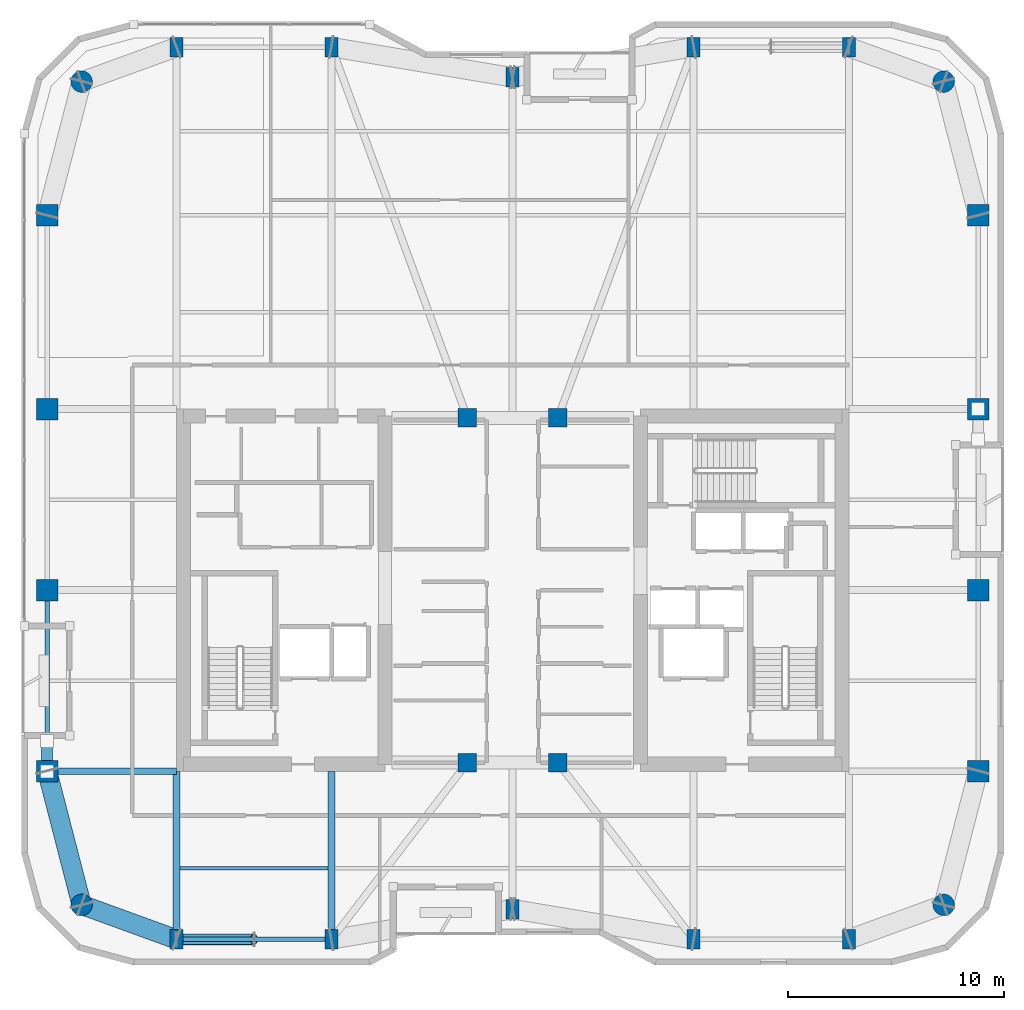
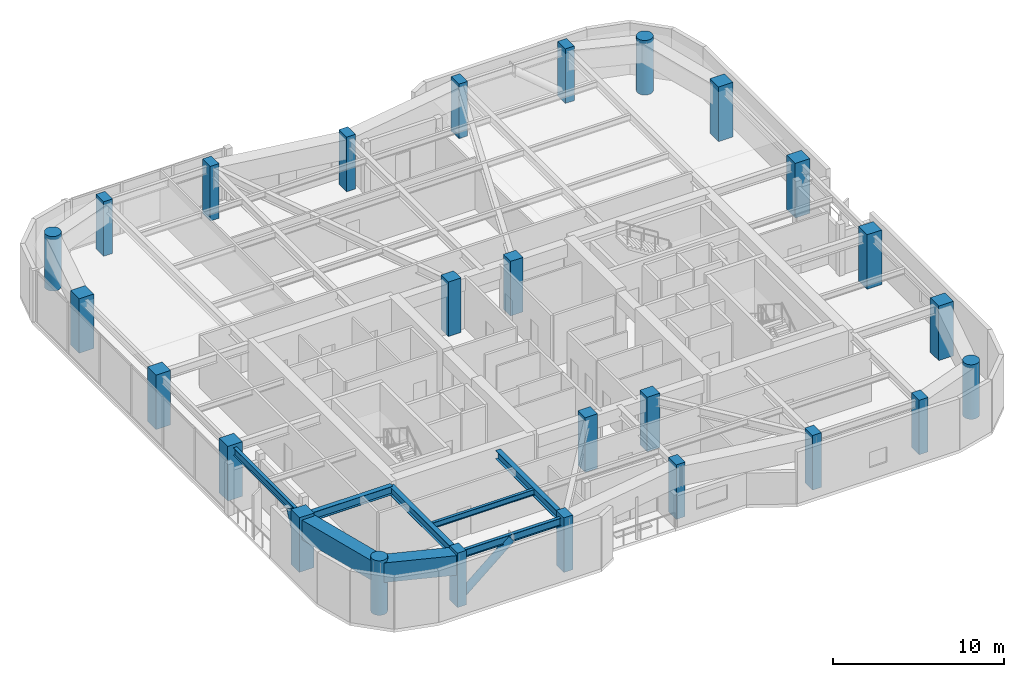
# One storey, part 1 of 21: 26 columns, 8 beams, 2 members.
"""IFC4 building model written with IfcOpenShell, lengths in metres."""

import ifcopenshell
import ifcopenshell.guid

model = None  # the IFC model being written
_history = None  # IfcOwnerHistory: only IFC2X3 demands one
_inside = {}  # id of a spatial element -> (the spatial element, [elements in it])
_under = {}  # id of a project, library or spatial element -> (it, [spatial elements below it])
_declared = {}  # id of a project -> (the project, [libraries it declares])
_typed = {}  # id of a type object -> (the type object, [elements of that type])
_made_of = {}  # id of a material, layer set ... -> (it, [elements and type objects made of it])


def new_model(schema):
    """Start an empty IFC model of exactly this schema.

    Asked for "IFC4X3", IfcOpenShell would pick the latest addendum, in which some entities
    have other attributes; the version numbers below select the first issue.
    IFC2X3 requires an IfcOwnerHistory on every rooted entity: one is made here for all.
    """
    global model, _history
    if schema == "IFC4X3":
        model = ifcopenshell.file(schema_version=(4, 3, 0, 0))
    else:
        model = ifcopenshell.file(schema=schema)
    _inside.clear()
    _under.clear()
    _declared.clear()
    _typed.clear()
    _made_of.clear()
    _history = None
    if model.schema == "IFC2X3":
        org = make("IfcOrganization", Name="unknown")
        user = make(
            "IfcPersonAndOrganization",
            ThePerson=make("IfcPerson", FamilyName="unknown"),
            TheOrganization=org,
        )
        app = make(
            "IfcApplication",
            ApplicationDeveloper=org,
            Version="unknown",
            ApplicationFullName="unknown",
            ApplicationIdentifier="unknown",
        )
        _history = make(
            "IfcOwnerHistory",
            OwningUser=user,
            OwningApplication=app,
            ChangeAction="ADDED",
            CreationDate=0,
        )
    return model


def make(cls, **values):
    """One entity of the class cls with the attributes given. An attribute that is None is left unset."""
    return model.create_entity(
        cls, **{name: value for name, value in values.items() if value is not None}
    )


def rooted(cls, **values):
    """An entity with a GlobalId (a new one), such as an element, a storey or a relation."""
    return make(cls, GlobalId=ifcopenshell.guid.new(), OwnerHistory=_history, **values)


def si_unit(unit_type, name, prefix=None):
    """IfcSIUnit, for example si_unit("LENGTHUNIT", "METRE", prefix="MILLI")."""
    return make("IfcSIUnit", UnitType=unit_type, Prefix=prefix, Name=name)


def assignment(units):
    """IfcUnitAssignment: the units of a project."""
    return None if units is None else make("IfcUnitAssignment", Units=units)


def point(xyz):
    """IfcCartesianPoint."""
    return None if xyz is None else make("IfcCartesianPoint", Coordinates=xyz)


def direction(xyz):
    """IfcDirection."""
    return None if xyz is None else make("IfcDirection", DirectionRatios=xyz)


def frame(location, z_axis=None, x_axis=None):
    """IfcAxis2Placement3D, a coordinate frame: its origin and axes. An axis left out is left unset."""
    return make(
        "IfcAxis2Placement3D",
        Location=point(location),
        Axis=direction(z_axis),
        RefDirection=direction(x_axis),
    )


def frame_2d(location, x_axis=None):
    """IfcAxis2Placement2D, a coordinate frame in the plane: its origin and x axis."""
    return make(
        "IfcAxis2Placement2D", Location=point(location), RefDirection=direction(x_axis)
    )


def origin():
    """The frame at (0, 0, 0) with its axes left unset."""
    return frame((0.0, 0.0, 0.0))


def origin_2d():
    """The frame at (0, 0) in the plane with its x axis left unset."""
    return frame_2d((0.0, 0.0))


def place(relative_to, where):
    """IfcLocalPlacement: puts the frame where relative to a parent placement (None: the world)."""
    return make(
        "IfcLocalPlacement", PlacementRelTo=relative_to, RelativePlacement=where
    )


def context(
    kind, dimensions, precision=None, world=None, true_north=None, identifier=None
):
    """IfcGeometricRepresentationContext, for example the 3D "Model" context."""
    return make(
        "IfcGeometricRepresentationContext",
        ContextIdentifier=identifier,
        ContextType=kind,
        CoordinateSpaceDimension=dimensions,
        Precision=precision,
        WorldCoordinateSystem=world,
        TrueNorth=true_north,
    )


def subcontext(parent, identifier, kind, view, scale=None):
    """IfcGeometricRepresentationSubContext, for example "Body" below "Model"."""
    return make(
        "IfcGeometricRepresentationSubContext",
        ContextIdentifier=identifier,
        ContextType=kind,
        ParentContext=parent,
        TargetScale=scale,
        TargetView=view,
    )


def project(units=None, contexts=None):
    """IfcProject with its units and contexts."""
    return rooted(
        "IfcProject",
        Name="project",
        RepresentationContexts=contexts,
        UnitsInContext=assignment(units),
    )


def spatial(cls, under=None, at=None, **own):
    """A site, building, storey or space (cls), placed at a placement, below another one or the project."""
    s = rooted(cls, ObjectPlacement=at, **own)
    if under is not None:
        _under.setdefault(under.id(), (under, []))[1].append(s)
    return s


def profile(cls, at=None, kind="AREA", **sizes):
    """A parametric profile (cls). Its sizes go by their IFC names, for example OverallWidth=200.0."""
    return make(cls, ProfileType=kind, Position=at, **sizes)


def rectangle(**sizes):
    """IfcRectangleProfileDef."""
    return profile("IfcRectangleProfileDef", **sizes)


def hollow_rectangle(**sizes):
    """IfcRectangleHollowProfileDef."""
    return profile("IfcRectangleHollowProfileDef", **sizes)


def circle(**sizes):
    """IfcCircleProfileDef."""
    return profile("IfcCircleProfileDef", **sizes)


def hollow_circle(**sizes):
    """IfcCircleHollowProfileDef."""
    return profile("IfcCircleHollowProfileDef", **sizes)


def i_section(**sizes):
    """IfcIShapeProfileDef."""
    return profile("IfcIShapeProfileDef", **sizes)


def extrude(swept, where, along, depth):
    """IfcExtrudedAreaSolid: the profile swept, set in the frame where, extruded along a direction by depth."""
    return make(
        "IfcExtrudedAreaSolid",
        SweptArea=swept,
        Position=where,
        ExtrudedDirection=direction(along),
        Depth=depth,
    )


def shape(context_of_items, identifier, shape_type, items):
    """IfcShapeRepresentation: the items that make up one representation, for example the "Body"."""
    return make(
        "IfcShapeRepresentation",
        ContextOfItems=context_of_items,
        RepresentationIdentifier=identifier,
        RepresentationType=shape_type,
        Items=items,
    )


def material(Name=None, Category=None):
    """IfcMaterial."""
    return make("IfcMaterial", Name=Name, Category=Category)


def material_profile(
    of_material, cross_section, Name=None, Category=None, Priority=None
):
    """IfcMaterialProfile: a cross section and its material."""
    return make(
        "IfcMaterialProfile",
        Name=Name,
        Material=of_material,
        Profile=cross_section,
        Priority=Priority,
        Category=Category,
    )


def profile_set(profiles, Name=None, composite=None):
    """IfcMaterialProfileSet."""
    return make(
        "IfcMaterialProfileSet",
        Name=Name,
        MaterialProfiles=profiles,
        CompositeProfile=composite,
    )


def made_of(thing, what):
    """Note that an element or type object is made of a material, layer set ...; save() writes the relation."""
    if what is not None:
        _made_of.setdefault(what.id(), (what, []))[1].append(thing)
    return thing


def type_object(cls, material=None, **own):
    """A type object (cls), such as IfcWallType, which elements share."""
    return made_of(rooted(cls, **own), material)


def element(
    cls,
    number,
    at=None,
    inside=None,
    cuts=None,
    type_object=None,
    material=None,
    context=None,
    identifier="Body",
    shape_type=None,
    held_by="IfcProductDefinitionShape",
    body=None,
    shapes=None,
    **own,
):
    """One element of the class cls, such as IfcWall. Its Tag is "e" and its number.

    at: its placement. inside: the storey or other place that contains it. cuts: it is an
    opening in that element (IfcRelVoidsElement). A single representation is given by context,
    identifier, shape_type and body (its items); several are given by shapes. held_by: the class
    of the entity that holds the representations. save() writes the other relations.
    """
    e = rooted(cls, Tag="e%d" % number, ObjectPlacement=at, **own)
    if body is not None:
        shapes = [shape(context, identifier, shape_type, body)]
    if shapes is not None:
        e.Representation = make(held_by, Representations=shapes)
    if inside is not None:
        _inside.setdefault(inside.id(), (inside, []))[1].append(e)
    if cuts is not None:
        rooted(
            "IfcRelVoidsElement", RelatingBuildingElement=cuts, RelatedOpeningElement=e
        )
    if type_object is not None:
        _typed.setdefault(type_object.id(), (type_object, []))[1].append(e)
    return made_of(e, material)


def aggregate(whole, parts):
    """IfcRelAggregates: a whole, such as a stair, and the parts it consists of."""
    return rooted("IfcRelAggregates", RelatingObject=whole, RelatedObjects=parts)


def save(model, path):
    """Write the relations noted so far, then the file.

    IfcRelAggregates (storeys below a building ...), IfcRelContainedInSpatialStructure (elements
    in a storey), IfcRelDefinesByType, IfcRelAssociatesMaterial and IfcRelDeclares: one each for
    every whole, place, type object, material and project.
    """
    for whole, parts in _under.values():
        aggregate(whole, parts)
    for where, things in _inside.values():
        rooted(
            "IfcRelContainedInSpatialStructure",
            RelatedElements=things,
            RelatingStructure=where,
        )
    for kind, things in _typed.values():
        rooted("IfcRelDefinesByType", RelatedObjects=things, RelatingType=kind)
    for what, things in _made_of.values():
        rooted("IfcRelAssociatesMaterial", RelatedObjects=things, RelatingMaterial=what)
    for by, libraries in _declared.values():
        rooted("IfcRelDeclares", RelatingContext=by, RelatedDefinitions=libraries)
    model.write(path)


model = new_model("IFC4")

# Units and contexts
model_context = context("Model", 3, precision=1e-05, world=origin(), true_north=direction((0.0, 1.0)))
body_context = subcontext(model_context, "Body", "Model", "MODEL_VIEW")
ifc_project = project(units=[si_unit("LENGTHUNIT", "METRE"), si_unit("AREAUNIT", "SQUARE_METRE"), si_unit("VOLUMEUNIT", "CUBIC_METRE"), si_unit("PLANEANGLEUNIT", "RADIAN"), si_unit("MASSUNIT", "GRAM", prefix="KILO")], contexts=[model_context])

# Site, building, storey
site_placement = place(None, origin())
site = spatial("IfcSite", under=ifc_project, at=site_placement, CompositionType="ELEMENT")
building_placement = place(site_placement, origin())
building = spatial("IfcBuilding", under=site, at=building_placement, Name="Kiyonajd Concourse Tower", CompositionType="ELEMENT")
storey_placement = place(building_placement, frame((0.0, 0.0, 234.89990234375)))
storey = spatial("IfcBuildingStorey", under=building, at=storey_placement, Name="L59", CompositionType="ELEMENT", Elevation=234.89990234375)

# Columns
ifc_material_1 = material(Name="Concrete C60/75", Category="concrete")
ifc_material_profile_1 = material_profile(ifc_material_1, rectangle(XDim=0.60009765625, YDim=0.89990234375, at=origin_2d()), Name="RC-900x600")
ifc_profile_set_1 = profile_set([ifc_material_profile_1], Name="Concrete C60/75")
column_type_1 = type_object("IfcColumnType", Name="CL-BLADE-900", PredefinedType="COLUMN", material=ifc_profile_set_1)
for number, where, z_axis, x_axis, name in (
    (1, (32.39990234375, 19.800048828125, 0.0), (0.0, 0.0, 1.0), (1.0, 0.0, 0.0), "L59 Perimeter Bundled Tube Column"),
    (2, (32.39990234375, 61.199951171875, 0.0), (0.0, 0.0, 1.0), (1.0, 0.0, 0.0), "L59 Perimeter Bundled Tube Column"),
    (3, (39.60009765625, 19.800048828125, 0.0), (0.0, 0.0, 1.0), (1.0, 0.0, 0.0), "L59 Perimeter Bundled Tube Column"),
    (4, (39.60009765625, 61.199951171875, 0.0), (0.0, 0.0, 1.0), (1.0, 0.0, 0.0), "L59 Perimeter Bundled Tube Column"),
    (5, (48.0, 21.199951171875, 0.0), (0.0, 0.0, 1.0), (1.0, 0.0, 0.0), "L59 Perimeter Bundled Tube Column"),
    (6, (48.0, 59.800048828125, 0.0), (0.0, 0.0, 1.0), (1.0, 0.0, 0.0), "L59 Perimeter Bundled Tube Column"),
    (7, (56.39990234375, 19.800048828125, 0.0), (0.0, 0.0, 1.0), (1.0, 0.0, 0.0), "L59 Perimeter Bundled Tube Column"),
    (8, (56.39990234375, 61.199951171875, 0.0), (0.0, 0.0, 1.0), (1.0, 0.0, 0.0), "L59 Perimeter Bundled Tube Column"),
    (9, (63.60009765625, 19.800048828125, 0.0), (0.0, 0.0, 1.0), (1.0, 0.0, 0.0), "L59 Perimeter Bundled Tube Column"),
    (10, (63.60009765625, 61.199951171875, 0.0), (0.0, 0.0, 1.0), (1.0, 0.0, 0.0), "L59 Perimeter Bundled Tube Column"),
):
    element("IfcColumn", number, at=place(storey_placement, frame(where, z_axis=z_axis, x_axis=x_axis)), inside=storey, type_object=column_type_1, Name=name, PredefinedType="COLUMN", context=body_context, shape_type="SweptSolid", body=[
        extrude(rectangle(XDim=0.60009765625, YDim=0.89990234375, at=origin_2d()), origin(), (0.0, 0.0, 1.0), 3.900146484375),
    ])
ifc_material_profile_2 = material_profile(ifc_material_1, circle(Radius=0.5, at=origin_2d()), Name="RCC-D1000")
ifc_profile_set_2 = profile_set([ifc_material_profile_2], Name="Concrete C60/75")
column_type_2 = type_object("IfcColumnType", Name="CL-RND-1000", PredefinedType="COLUMN", material=ifc_profile_set_2)
for number, where, z_axis, x_axis, name in (
    (11, (28.0, 21.39990234375, 0.0), (0.0, 0.0, 1.0), (1.0, 0.0, 0.0), "L59 Bundled Tube Corner Column South West"),
    (12, (68.0, 21.39990234375, 0.0), (0.0, 0.0, 1.0), (1.0, 0.0, 0.0), "L59 Bundled Tube Corner Column South East"),
    (13, (68.0, 59.60009765625, 0.0), (0.0, 0.0, 1.0), (1.0, 0.0, 0.0), "L59 Bundled Tube Corner Column North East"),
    (14, (28.0, 59.60009765625, 0.0), (0.0, 0.0, 1.0), (1.0, 0.0, 0.0), "L59 Bundled Tube Corner Column North West"),
):
    element("IfcColumn", number, at=place(storey_placement, frame(where, z_axis=z_axis, x_axis=x_axis)), inside=storey, type_object=column_type_2, Name=name, PredefinedType="COLUMN", context=body_context, shape_type="SweptSolid", body=[
        extrude(circle(Radius=0.5, at=origin_2d()), origin(), (0.0, 0.0, 1.0), 3.900146484375),
    ])
ifc_material_profile_3 = material_profile(ifc_material_1, rectangle(XDim=1.0, YDim=1.0, at=origin_2d()), Name="RC-1000x1000")
ifc_profile_set_3 = profile_set([ifc_material_profile_3], Name="Concrete C60/75")
column_type_3 = type_object("IfcColumnType", Name="CL-TUBE-1000", PredefinedType="COLUMN", material=ifc_profile_set_3)
for number, where, z_axis, x_axis, name in (
    (15, (26.39990234375, 27.60009765625, 0.0), (0.0, 0.0, 1.0), (1.0, 0.0, 0.0), "L59 Perimeter Bundled Tube Column"),
    (16, (69.60009765625, 27.60009765625, 0.0), (0.0, 0.0, 1.0), (1.0, 0.0, 0.0), "L59 Perimeter Bundled Tube Column"),
    (17, (26.39990234375, 36.0, 0.0), (0.0, 0.0, 1.0), (1.0, 0.0, 0.0), "L59 Perimeter Bundled Tube Column"),
    (18, (69.60009765625, 36.0, 0.0), (0.0, 0.0, 1.0), (1.0, 0.0, 0.0), "L59 Perimeter Bundled Tube Column"),
    (19, (26.39990234375, 44.39990234375, 0.0), (0.0, 0.0, 1.0), (1.0, 0.0, 0.0), "L59 Perimeter Bundled Tube Column"),
    (20, (69.60009765625, 44.39990234375, 0.0), (0.0, 0.0, 1.0), (1.0, 0.0, 0.0), "L59 Perimeter Bundled Tube Column"),
    (21, (26.39990234375, 53.39990234375, 0.0), (0.0, 0.0, 1.0), (1.0, 0.0, 0.0), "L59 Perimeter Bundled Tube Column"),
    (22, (69.60009765625, 53.39990234375, 0.0), (0.0, 0.0, 1.0), (1.0, 0.0, 0.0), "L59 Perimeter Bundled Tube Column"),
):
    element("IfcColumn", number, at=place(storey_placement, frame(where, z_axis=z_axis, x_axis=x_axis)), inside=storey, type_object=column_type_3, Name=name, PredefinedType="COLUMN", context=body_context, shape_type="SweptSolid", body=[
        extrude(rectangle(XDim=1.0, YDim=1.0, at=origin_2d()), origin(), (0.0, 0.0, 1.0), 3.900146484375),
    ])
ifc_material_profile_4 = material_profile(ifc_material_1, rectangle(XDim=0.85009765625, YDim=0.85009765625, at=origin_2d()), Name="RC-850x850")
ifc_profile_set_4 = profile_set([ifc_material_profile_4], Name="Concrete C60/75")
column_type_4 = type_object("IfcColumnType", Name="CL-TUBE-850", PredefinedType="COLUMN", material=ifc_profile_set_4)
for number, where, z_axis, x_axis, name in (
    (23, (45.89990234375, 28.0, 0.0), (0.0, 0.0, 1.0), (1.0, 0.0, 0.0), "L59 Core Tie Column South West"),
    (24, (50.10009765625, 28.0, 0.0), (0.0, 0.0, 1.0), (1.0, 0.0, 0.0), "L59 Core Tie Column South East"),
    (25, (45.89990234375, 44.0, 0.0), (0.0, 0.0, 1.0), (1.0, 0.0, 0.0), "L59 Core Tie Column North West"),
    (26, (50.10009765625, 44.0, 0.0), (0.0, 0.0, 1.0), (1.0, 0.0, 0.0), "L59 Core Tie Column North East"),
):
    element("IfcColumn", number, at=place(storey_placement, frame(where, z_axis=z_axis, x_axis=x_axis)), inside=storey, type_object=column_type_4, Name=name, PredefinedType="COLUMN", context=body_context, shape_type="SweptSolid", body=[
        extrude(rectangle(XDim=0.85009765625, YDim=0.85009765625, at=origin_2d()), origin(), (0.0, 0.0, 1.0), 3.900146484375),
    ])

# Beams
ifc_material_2 = material(Name="Steel ASTM A992 Grade 50", Category="steel")
ifc_material_profile_5 = material_profile(ifc_material_2, i_section(OverallWidth=0.180908203125, OverallDepth=0.4169921875, WebThickness=0.010986328125, FlangeThickness=0.018310546875, at=origin_2d()), Name="W410X85")
ifc_profile_set_5 = profile_set([ifc_material_profile_5], Name="Steel ASTM A992 Grade 50")
beam_type_1 = type_object("IfcBeamType", Name="BM-JST-410", PredefinedType="JOIST", material=ifc_profile_set_5)
beam_1_placement = place(storey_placement, frame((32.56201171875, 23.10009765625, 3.4716796875), z_axis=(1.0, 0.0, 0.0), x_axis=(0.0, 1.0, 0.0)))
element("IfcBeam", 27, at=beam_1_placement, inside=storey, type_object=beam_type_1, Name="L59 Secondary Floor Joist", PredefinedType="JOIST", context=body_context, shape_type="SweptSolid", body=[
    extrude(i_section(OverallWidth=0.180908203125, OverallDepth=0.4169921875, WebThickness=0.010986328125, FlangeThickness=0.018310546875, at=origin_2d()), origin(), (0.0, 0.0, 1.0), 6.8759765625),
])
ifc_material_profile_6 = material_profile(ifc_material_2, i_section(OverallWidth=0.214111328125, OverallDepth=0.549072265625, WebThickness=0.0146484375, FlangeThickness=0.023681640625, at=origin_2d()), Name="W530X138")
ifc_profile_set_6 = profile_set([ifc_material_profile_6], Name="Steel ASTM A992 Grade 50")
beam_type_2 = type_object("IfcBeamType", Name="BM-SPAN-530A", PredefinedType="SPANDREL", material=ifc_profile_set_6)
beam_2_placement = place(storey_placement, frame((32.39990234375, 19.800048828125, 3.405517578125), z_axis=(1.0, 0.0, 0.0), x_axis=(0.0, 1.0, 0.0)))
element("IfcBeam", 28, at=beam_2_placement, inside=storey, type_object=beam_type_2, Name="L59 Perimeter Bundled Tube Spandrel", PredefinedType="SPANDREL", context=body_context, shape_type="SweptSolid", body=[
    extrude(i_section(OverallWidth=0.214111328125, OverallDepth=0.549072265625, WebThickness=0.0146484375, FlangeThickness=0.023681640625, at=origin_2d()), origin(), (0.0, 0.0, 1.0), 7.2001953125),
])
beam_3_placement = place(storey_placement, frame((26.39990234375, 36.0, 3.405517578125), z_axis=(0.0, -1.0, 0.0), x_axis=(1.0, 0.0, 0.0)))
element("IfcBeam", 29, at=beam_3_placement, inside=storey, type_object=beam_type_2, Name="L59 Perimeter Bundled Tube Spandrel", PredefinedType="SPANDREL", context=body_context, shape_type="SweptSolid", body=[
    extrude(i_section(OverallWidth=0.214111328125, OverallDepth=0.549072265625, WebThickness=0.0146484375, FlangeThickness=0.023681640625, at=origin_2d()), origin(), (0.0, 0.0, 1.0), 8.39990234375),
])
ifc_material_profile_7 = material_profile(ifc_material_2, i_section(OverallWidth=0.323974609375, OverallDepth=0.611083984375, WebThickness=0.0126953125, FlangeThickness=0.01904296875, at=origin_2d()), Name="W610X155")
ifc_profile_set_7 = profile_set([ifc_material_profile_7], Name="Steel ASTM A992 Grade 50")
beam_type_3 = type_object("IfcBeamType", Name="BM-TWR-610B", PredefinedType="BEAM", material=ifc_profile_set_7)
for number, where, z_axis, x_axis, name in (
    (30, (32.39990234375, 19.800048828125, 3.37451171875), (0.0, 1.0, 0.0), (-1.0, 0.0, 0.0), "L59 South Lease Girder"),
    (31, (39.60009765625, 19.800048828125, 3.37451171875), (0.0, 1.0, 0.0), (-1.0, 0.0, 0.0), "L59 South Lease Girder"),
):
    element("IfcBeam", number, at=place(storey_placement, frame(where, z_axis=z_axis, x_axis=x_axis)), inside=storey, type_object=beam_type_3, Name=name, PredefinedType="BEAM", context=body_context, shape_type="SweptSolid", body=[
        extrude(i_section(OverallWidth=0.323974609375, OverallDepth=0.611083984375, WebThickness=0.0126953125, FlangeThickness=0.01904296875, at=origin_2d()), origin(), (0.0, 0.0, 1.0), 7.800048828125),
    ])
beam_4_placement = place(storey_placement, frame((26.39990234375, 27.60009765625, 3.37451171875), z_axis=(1.0, 0.0, 0.0), x_axis=(0.0, 1.0, 0.0)))
element("IfcBeam", 32, at=beam_4_placement, inside=storey, type_object=beam_type_3, Name="L59 West Lease Girder", PredefinedType="BEAM", context=body_context, shape_type="SweptSolid", body=[
    extrude(i_section(OverallWidth=0.323974609375, OverallDepth=0.611083984375, WebThickness=0.0126953125, FlangeThickness=0.01904296875, at=origin_2d()), origin(), (0.0, 0.0, 1.0), 6.0),
])
ifc_material_3 = material(Name="Steel ASTM A572 Grade 50", Category="steel")
ifc_material_profile_8 = material_profile(ifc_material_3, hollow_rectangle(XDim=0.89990234375, YDim=1.39990234375, WallThickness=0.070068359375, at=origin_2d()), Name="BOX-1400x900x70")
ifc_profile_set_8 = profile_set([ifc_material_profile_8], Name="Steel ASTM A572 Grade 50")
beam_type_4 = type_object("IfcBeamType", Name="BM-XFER-1400", PredefinedType="BEAM", material=ifc_profile_set_8)
beam_5_placement = place(storey_placement, frame((26.39990234375, 27.60009765625, 2.97998046875), z_axis=(0.249884937687, -0.968275538221, 0.0), x_axis=(0.968275538221, 0.249884937687, 0.0)))
element("IfcBeam", 33, at=beam_5_placement, inside=storey, type_object=beam_type_4, Name="L59 Perimeter Bundled Tube Spandrel", PredefinedType="BEAM", context=body_context, shape_type="SweptSolid", body=[
    extrude(hollow_rectangle(XDim=0.89990234375, YDim=1.39990234375, WallThickness=0.070068359375, at=origin_2d()), origin(), (0.0, 0.0, 1.0), 6.4033203125),
])
beam_6_placement = place(storey_placement, frame((28.0, 21.39990234375, 2.97998046875), z_axis=(0.939801036019, -0.341722127901, 0.0), x_axis=(0.341722127901, 0.939801036019, 0.0)))
element("IfcBeam", 34, at=beam_6_placement, inside=storey, type_object=beam_type_4, Name="L59 Perimeter Bundled Tube Spandrel", PredefinedType="BEAM", context=body_context, shape_type="SweptSolid", body=[
    extrude(hollow_rectangle(XDim=0.89990234375, YDim=1.39990234375, WallThickness=0.070068359375, at=origin_2d()), origin(), (0.0, 0.0, 1.0), 4.681640625),
])

# Members
ifc_material_4 = material(Name="Steel ASTM A500 Grade C", Category="steel")
ifc_material_profile_9 = material_profile(ifc_material_4, hollow_circle(Radius=0.25390625, WallThickness=0.02197265625, at=origin_2d()), Name="CHS-508x22")
ifc_profile_set_9 = profile_set([ifc_material_profile_9], Name="Steel ASTM A500 Grade C")
member_type = type_object("IfcMemberType", Name="MB-PB-MID", PredefinedType="BRACE", material=ifc_profile_set_9)
member_1_placement = place(storey_placement, frame((32.39990234375, 19.800048828125, 0.300048828125), z_axis=(0.765082043761, 0.0, 0.643932811957), x_axis=(0.0, 1.0, 0.0)))
element("IfcMember", 35, at=member_1_placement, inside=storey, type_object=member_type, Name="L59 Upper Zone Hollow Tube Brace PBS", PredefinedType="BRACE", context=body_context, shape_type="SweptSolid", body=[
    extrude(hollow_circle(Radius=0.25390625, WallThickness=0.02197265625, at=origin_2d()), origin(), (0.0, 0.0, 1.0), 4.70556640625),
])
member_2_placement = place(storey_placement, frame((26.39990234375, 27.60009765625, 0.300048828125), z_axis=(0.0, 0.419410666774, 0.907796614114), x_axis=(-1.0, 0.0, 0.0)))
element("IfcMember", 36, at=member_2_placement, inside=storey, type_object=member_type, Name="L59 Upper Zone Hollow Tube Brace PBW", PredefinedType="BRACE", context=body_context, shape_type="SweptSolid", body=[
    extrude(hollow_circle(Radius=0.25390625, WallThickness=0.02197265625, at=origin_2d()), origin(), (0.0, 0.0, 1.0), 3.337890625),
])

save(model, "model.ifc")
